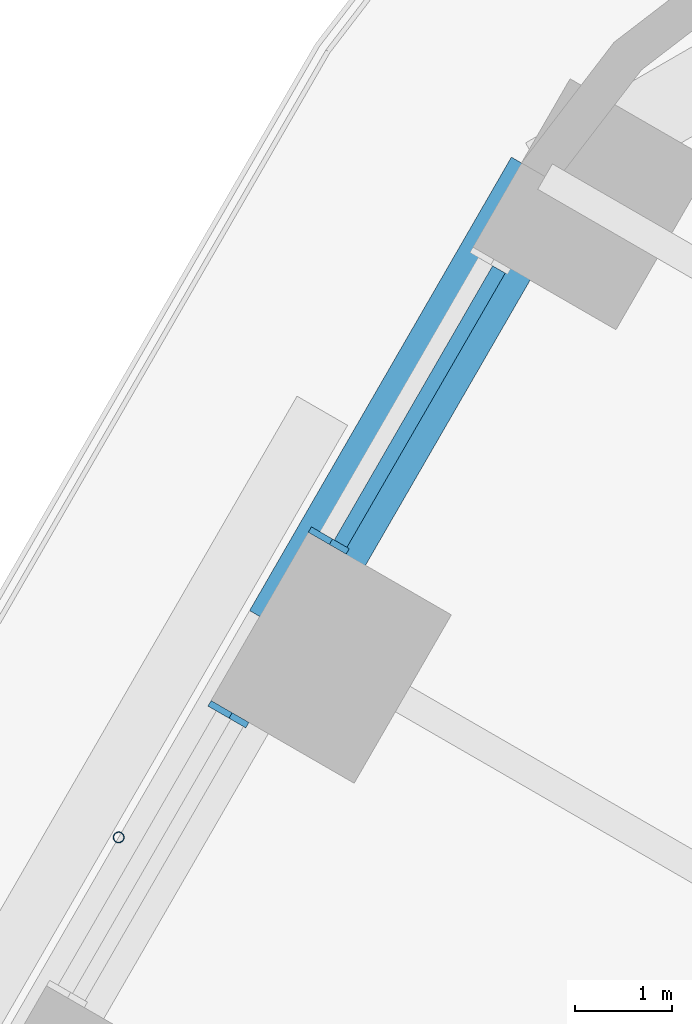
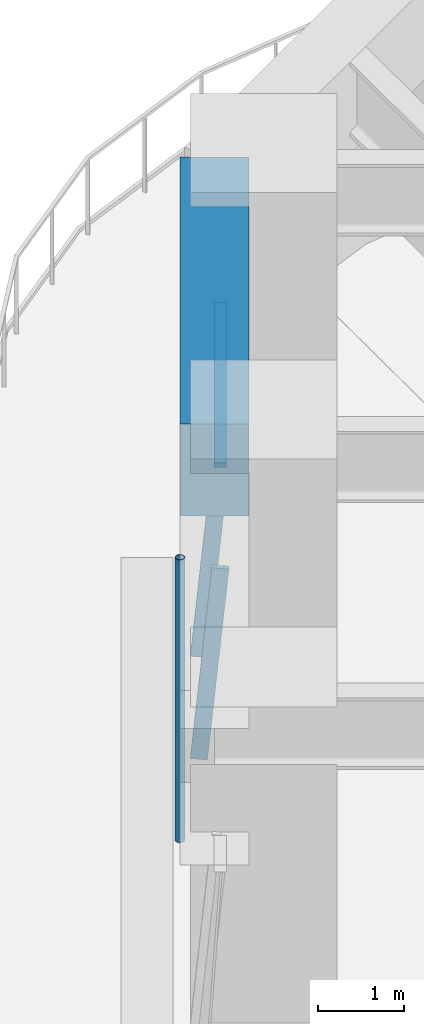
# One storey, part 9 of 23: 4 members, 1 beam, 2 elements without a shape of their own.
"""IFC4 building model written with IfcOpenShell, lengths in metres."""

import ifcopenshell
import ifcopenshell.guid

model = None  # the IFC model being written
_history = None  # IfcOwnerHistory: only IFC2X3 demands one
_inside = {}  # id of a spatial element -> (the spatial element, [elements in it])
_under = {}  # id of a project, library or spatial element -> (it, [spatial elements below it])
_declared = {}  # id of a project -> (the project, [libraries it declares])
_typed = {}  # id of a type object -> (the type object, [elements of that type])
_made_of = {}  # id of a material, layer set ... -> (it, [elements and type objects made of it])


def new_model(schema):
    """Start an empty IFC model of exactly this schema.

    Asked for "IFC4X3", IfcOpenShell would pick the latest addendum, in which some entities
    have other attributes; the version numbers below select the first issue.
    IFC2X3 requires an IfcOwnerHistory on every rooted entity: one is made here for all.
    """
    global model, _history
    if schema == "IFC4X3":
        model = ifcopenshell.file(schema_version=(4, 3, 0, 0))
    else:
        model = ifcopenshell.file(schema=schema)
    _inside.clear()
    _under.clear()
    _declared.clear()
    _typed.clear()
    _made_of.clear()
    _history = None
    if model.schema == "IFC2X3":
        org = make("IfcOrganization", Name="unknown")
        user = make(
            "IfcPersonAndOrganization",
            ThePerson=make("IfcPerson", FamilyName="unknown"),
            TheOrganization=org,
        )
        app = make(
            "IfcApplication",
            ApplicationDeveloper=org,
            Version="unknown",
            ApplicationFullName="unknown",
            ApplicationIdentifier="unknown",
        )
        _history = make(
            "IfcOwnerHistory",
            OwningUser=user,
            OwningApplication=app,
            ChangeAction="ADDED",
            CreationDate=0,
        )
    return model


def make(cls, **values):
    """One entity of the class cls with the attributes given. An attribute that is None is left unset."""
    return model.create_entity(
        cls, **{name: value for name, value in values.items() if value is not None}
    )


def rooted(cls, **values):
    """An entity with a GlobalId (a new one), such as an element, a storey or a relation."""
    return make(cls, GlobalId=ifcopenshell.guid.new(), OwnerHistory=_history, **values)


def si_unit(unit_type, name, prefix=None):
    """IfcSIUnit, for example si_unit("LENGTHUNIT", "METRE", prefix="MILLI")."""
    return make("IfcSIUnit", UnitType=unit_type, Prefix=prefix, Name=name)


def assignment(units):
    """IfcUnitAssignment: the units of a project."""
    return None if units is None else make("IfcUnitAssignment", Units=units)


def point(xyz):
    """IfcCartesianPoint."""
    return None if xyz is None else make("IfcCartesianPoint", Coordinates=xyz)


def direction(xyz):
    """IfcDirection."""
    return None if xyz is None else make("IfcDirection", DirectionRatios=xyz)


def frame(location, z_axis=None, x_axis=None):
    """IfcAxis2Placement3D, a coordinate frame: its origin and axes. An axis left out is left unset."""
    return make(
        "IfcAxis2Placement3D",
        Location=point(location),
        Axis=direction(z_axis),
        RefDirection=direction(x_axis),
    )


def frame_2d(location, x_axis=None):
    """IfcAxis2Placement2D, a coordinate frame in the plane: its origin and x axis."""
    return make(
        "IfcAxis2Placement2D", Location=point(location), RefDirection=direction(x_axis)
    )


def origin():
    """The frame at (0, 0, 0) with its axes left unset."""
    return frame((0.0, 0.0, 0.0))


def origin_2d():
    """The frame at (0, 0) in the plane with its x axis left unset."""
    return frame_2d((0.0, 0.0))


def place(relative_to, where):
    """IfcLocalPlacement: puts the frame where relative to a parent placement (None: the world)."""
    return make(
        "IfcLocalPlacement", PlacementRelTo=relative_to, RelativePlacement=where
    )


def context(
    kind, dimensions, precision=None, world=None, true_north=None, identifier=None
):
    """IfcGeometricRepresentationContext, for example the 3D "Model" context."""
    return make(
        "IfcGeometricRepresentationContext",
        ContextIdentifier=identifier,
        ContextType=kind,
        CoordinateSpaceDimension=dimensions,
        Precision=precision,
        WorldCoordinateSystem=world,
        TrueNorth=true_north,
    )


def subcontext(parent, identifier, kind, view, scale=None):
    """IfcGeometricRepresentationSubContext, for example "Body" below "Model"."""
    return make(
        "IfcGeometricRepresentationSubContext",
        ContextIdentifier=identifier,
        ContextType=kind,
        ParentContext=parent,
        TargetScale=scale,
        TargetView=view,
    )


def project(units=None, contexts=None):
    """IfcProject with its units and contexts."""
    return rooted(
        "IfcProject",
        Name="project",
        RepresentationContexts=contexts,
        UnitsInContext=assignment(units),
    )


def spatial(cls, under=None, at=None, **own):
    """A site, building, storey or space (cls), placed at a placement, below another one or the project."""
    s = rooted(cls, ObjectPlacement=at, **own)
    if under is not None:
        _under.setdefault(under.id(), (under, []))[1].append(s)
    return s


def profile(cls, at=None, kind="AREA", **sizes):
    """A parametric profile (cls). Its sizes go by their IFC names, for example OverallWidth=200.0."""
    return make(cls, ProfileType=kind, Position=at, **sizes)


def rectangle(**sizes):
    """IfcRectangleProfileDef."""
    return profile("IfcRectangleProfileDef", **sizes)


def hollow_circle(**sizes):
    """IfcCircleHollowProfileDef."""
    return profile("IfcCircleHollowProfileDef", **sizes)


def extrude(swept, where, along, depth):
    """IfcExtrudedAreaSolid: the profile swept, set in the frame where, extruded along a direction by depth."""
    return make(
        "IfcExtrudedAreaSolid",
        SweptArea=swept,
        Position=where,
        ExtrudedDirection=direction(along),
        Depth=depth,
    )


def shape(context_of_items, identifier, shape_type, items):
    """IfcShapeRepresentation: the items that make up one representation, for example the "Body"."""
    return make(
        "IfcShapeRepresentation",
        ContextOfItems=context_of_items,
        RepresentationIdentifier=identifier,
        RepresentationType=shape_type,
        Items=items,
    )


def material(Name=None, Category=None):
    """IfcMaterial."""
    return make("IfcMaterial", Name=Name, Category=Category)


def material_profile(
    of_material, cross_section, Name=None, Category=None, Priority=None
):
    """IfcMaterialProfile: a cross section and its material."""
    return make(
        "IfcMaterialProfile",
        Name=Name,
        Material=of_material,
        Profile=cross_section,
        Priority=Priority,
        Category=Category,
    )


def profile_set(profiles, Name=None, composite=None):
    """IfcMaterialProfileSet."""
    return make(
        "IfcMaterialProfileSet",
        Name=Name,
        MaterialProfiles=profiles,
        CompositeProfile=composite,
    )


def made_of(thing, what):
    """Note that an element or type object is made of a material, layer set ...; save() writes the relation."""
    if what is not None:
        _made_of.setdefault(what.id(), (what, []))[1].append(thing)
    return thing


def type_object(cls, material=None, **own):
    """A type object (cls), such as IfcWallType, which elements share."""
    return made_of(rooted(cls, **own), material)


def element(
    cls,
    number,
    at=None,
    inside=None,
    cuts=None,
    type_object=None,
    material=None,
    context=None,
    identifier="Body",
    shape_type=None,
    held_by="IfcProductDefinitionShape",
    body=None,
    shapes=None,
    **own,
):
    """One element of the class cls, such as IfcWall. Its Tag is "e" and its number.

    at: its placement. inside: the storey or other place that contains it. cuts: it is an
    opening in that element (IfcRelVoidsElement). A single representation is given by context,
    identifier, shape_type and body (its items); several are given by shapes. held_by: the class
    of the entity that holds the representations. save() writes the other relations.
    """
    e = rooted(cls, Tag="e%d" % number, ObjectPlacement=at, **own)
    if body is not None:
        shapes = [shape(context, identifier, shape_type, body)]
    if shapes is not None:
        e.Representation = make(held_by, Representations=shapes)
    if inside is not None:
        _inside.setdefault(inside.id(), (inside, []))[1].append(e)
    if cuts is not None:
        rooted(
            "IfcRelVoidsElement", RelatingBuildingElement=cuts, RelatedOpeningElement=e
        )
    if type_object is not None:
        _typed.setdefault(type_object.id(), (type_object, []))[1].append(e)
    return made_of(e, material)


def aggregate(whole, parts):
    """IfcRelAggregates: a whole, such as a stair, and the parts it consists of."""
    return rooted("IfcRelAggregates", RelatingObject=whole, RelatedObjects=parts)


def save(model, path):
    """Write the relations noted so far, then the file.

    IfcRelAggregates (storeys below a building ...), IfcRelContainedInSpatialStructure (elements
    in a storey), IfcRelDefinesByType, IfcRelAssociatesMaterial and IfcRelDeclares: one each for
    every whole, place, type object, material and project.
    """
    for whole, parts in _under.values():
        aggregate(whole, parts)
    for where, things in _inside.values():
        rooted(
            "IfcRelContainedInSpatialStructure",
            RelatedElements=things,
            RelatingStructure=where,
        )
    for kind, things in _typed.values():
        rooted("IfcRelDefinesByType", RelatedObjects=things, RelatingType=kind)
    for what, things in _made_of.values():
        rooted("IfcRelAssociatesMaterial", RelatedObjects=things, RelatingMaterial=what)
    for by, libraries in _declared.values():
        rooted("IfcRelDeclares", RelatingContext=by, RelatedDefinitions=libraries)
    model.write(path)


model = new_model("IFC4")

# Units and contexts
model_context = context("Model", 3, precision=1e-05, world=origin(), true_north=direction((0.0, 1.0)))
body_context = subcontext(model_context, "Body", "Model", "MODEL_VIEW")
ifc_project = project(units=[si_unit("LENGTHUNIT", "METRE"), si_unit("AREAUNIT", "SQUARE_METRE"), si_unit("VOLUMEUNIT", "CUBIC_METRE"), si_unit("PLANEANGLEUNIT", "RADIAN"), si_unit("MASSUNIT", "GRAM", prefix="KILO")], contexts=[model_context])

# Site, building, storey
site_placement = place(None, origin())
site = spatial("IfcSite", under=ifc_project, at=site_placement, CompositionType="ELEMENT")
building_placement = place(site_placement, origin())
building = spatial("IfcBuilding", under=site, at=building_placement, Name="Tarfa Lantern Tower", CompositionType="ELEMENT")
storey_placement = place(building_placement, frame((0.0, 0.0, 78.10009765625)))
storey = spatial("IfcBuildingStorey", under=building, at=storey_placement, Name="L17", CompositionType="ELEMENT", Elevation=78.10009765625)

# Curtain wall, member
ifc_material_1 = material(Name="Aluminium framed curtain wall", Category="aluminium")
curtain_wall_type = type_object("IfcCurtainWallType", Name="CW1 CANTED GLAZING LOW ZONE 2700", PredefinedType="USERDEFINED", material=ifc_material_1)
curtain_wall_1_placement = place(storey_placement, origin())
curtain_wall_1 = element("IfcCurtainWall", 1, at=curtain_wall_1_placement, inside=storey, type_object=curtain_wall_type, Name="CW1 NW L17", ObjectType="CURTAIN WALL", PredefinedType="USERDEFINED")
ifc_material_2 = material(Name="Aluminium mullion", Category="aluminium")
ifc_material_profile_1 = material_profile(ifc_material_2, rectangle(XDim=0.06494140625, YDim=0.199951171875, at=origin_2d()), Name="AL MULLION 65x200")
ifc_profile_set_1 = profile_set([ifc_material_profile_1], Name="Aluminium mullion")
member_type_1 = type_object("IfcMemberType", Name="CWM1 MULLION 65x200", PredefinedType="MULLION", material=ifc_profile_set_1)
member_1_placement = place(storey_placement, frame((-23.453369140625, 27.177490234375, 0.0), z_axis=(0.07986442134, -0.046099868913, 0.99573916077), x_axis=(0.499919672301, 0.866071776036, 0.0)))
member_1 = element("IfcMember", 2, at=member_1_placement, type_object=member_type_1, Name="CW1 mullion 2", PredefinedType="MULLION", context=body_context, shape_type="SweptSolid", body=[
    extrude(rectangle(XDim=0.06494140625, YDim=0.199951171875, at=origin_2d()), origin(), (0.0, 0.0, 1.0), 2.71142578125),
])

curtain_wall_2_placement = place(storey_placement, origin())
curtain_wall_2 = element("IfcCurtainWall", 3, at=curtain_wall_2_placement, inside=storey, type_object=curtain_wall_type, Name="CW1 NW L17", ObjectType="CURTAIN WALL", PredefinedType="USERDEFINED")
member_2_placement = place(storey_placement, frame((-24.48583984375, 25.38916015625, 0.0), z_axis=(0.07986442134, -0.046099868913, 0.99573916077), x_axis=(0.499919672301, 0.866071776036, 0.0)))
member_2 = element("IfcMember", 4, at=member_2_placement, type_object=member_type_1, Name="CW1 mullion 1", PredefinedType="MULLION", context=body_context, shape_type="SweptSolid", body=[
    extrude(rectangle(XDim=0.06494140625, YDim=0.199951171875, at=origin_2d()), origin(), (0.0, 0.0, 1.0), 2.71142578125),
])
aggregate(curtain_wall_2, [member_2])

# Member
ifc_material_3 = material(Name="Aluminium transom", Category="aluminium")
ifc_material_profile_2 = material_profile(ifc_material_3, rectangle(XDim=0.14990234375, YDim=0.06494140625, at=origin_2d()), Name="AL TRANSOM 150x65")
ifc_profile_set_2 = profile_set([ifc_material_profile_2], Name="Aluminium transom")
member_type_2 = type_object("IfcMemberType", Name="CWT1 TRANSOM 150x65", PredefinedType="USERDEFINED", material=ifc_profile_set_2)
member_3_placement = place(storey_placement, frame((-21.593994140625, 29.904296875, 2.66748046875), z_axis=(-0.499966746847, -0.86604460165, 0.0), x_axis=(0.86604460165, -0.499966746847, 0.0)))
member_3 = element("IfcMember", 5, at=member_3_placement, type_object=member_type_2, Name="CW1 transom 1.2", ObjectType="TRANSOM", PredefinedType="USERDEFINED", context=body_context, shape_type="SweptSolid", body=[
    extrude(rectangle(XDim=0.14990234375, YDim=0.06494140625, at=origin_2d()), origin(), (0.0, 0.0, 1.0), 3.258544921875),
])

aggregate(curtain_wall_1, [member_1, member_3])

# Beam
ifc_material_4 = material(Name="Concrete C80/95", Category="concrete")
ifc_material_profile_3 = material_profile(ifc_material_4, rectangle(XDim=0.800048828125, YDim=1.300048828125, at=origin_2d()), Name="RC 800x1300")
ifc_profile_set_3 = profile_set([ifc_material_profile_3], Name="Concrete C80/95")
beam_type = type_object("IfcBeamType", Name="EB1 RC 800x1300", PredefinedType="SPANDREL", material=ifc_profile_set_3)
beam_placement = place(storey_placement, frame((-21.119384765625, 30.860107421875, 3.349853515625), z_axis=(-0.499998287579, -0.866026392449, 0.0), x_axis=(0.866026392449, -0.499998287579, 0.0)))
element("IfcBeam", 6, at=beam_placement, inside=storey, type_object=beam_type, Name="Edge beam NW0", PredefinedType="SPANDREL", context=body_context, shape_type="SweptSolid", body=[
    extrude(rectangle(XDim=0.800048828125, YDim=1.300048828125, at=origin_2d()), origin(), (0.0, 0.0, 1.0), 5.388671875),
])

# Member
ifc_material_5 = material(Name="Steel S355", Category="steel")
ifc_material_profile_4 = material_profile(ifc_material_5, hollow_circle(Radius=0.05712890625, WallThickness=0.00634765625, at=origin_2d()), Name="CHS114.3x6.3")
ifc_profile_set_4 = profile_set([ifc_material_profile_4], Name="Steel S355")
member_type_3 = type_object("IfcMemberType", Name="TR1 GREEN WALL TRELLIS CHS114.3x6.3", PredefinedType="USERDEFINED", material=ifc_profile_set_4)
member_4_placement = place(storey_placement, frame((-25.50732421875, 24.06005859375, 0.0), z_axis=(0.0, 0.0, 1.0), x_axis=(1.0, 0.0, 0.0)))
element("IfcMember", 7, at=member_4_placement, inside=storey, type_object=member_type_3, Name="Trellis post NW 1", ObjectType="TRELLIS", PredefinedType="USERDEFINED", context=body_context, shape_type="SweptSolid", body=[
    extrude(hollow_circle(Radius=0.05712890625, WallThickness=0.00634765625, at=origin_2d()), origin(), (0.0, 0.0, 1.0), 4.0),
])

save(model, "model.ifc")
